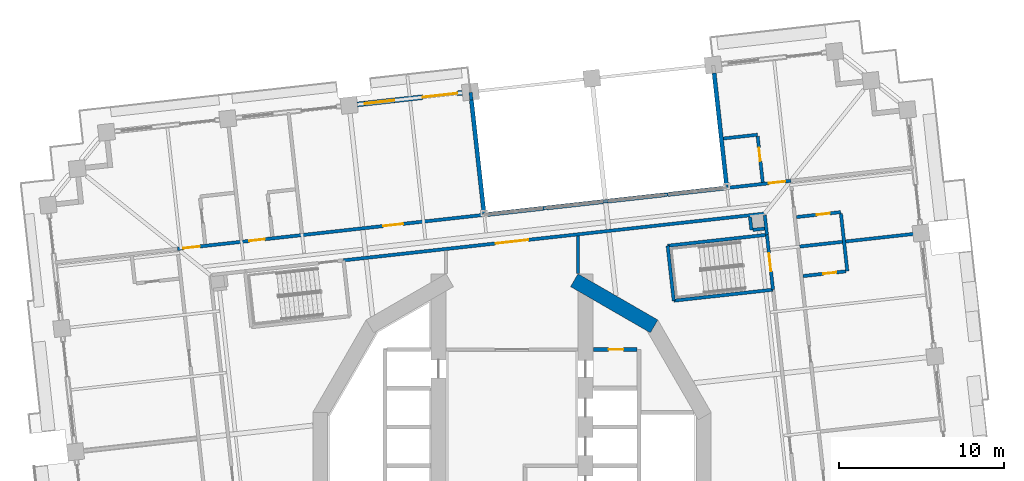
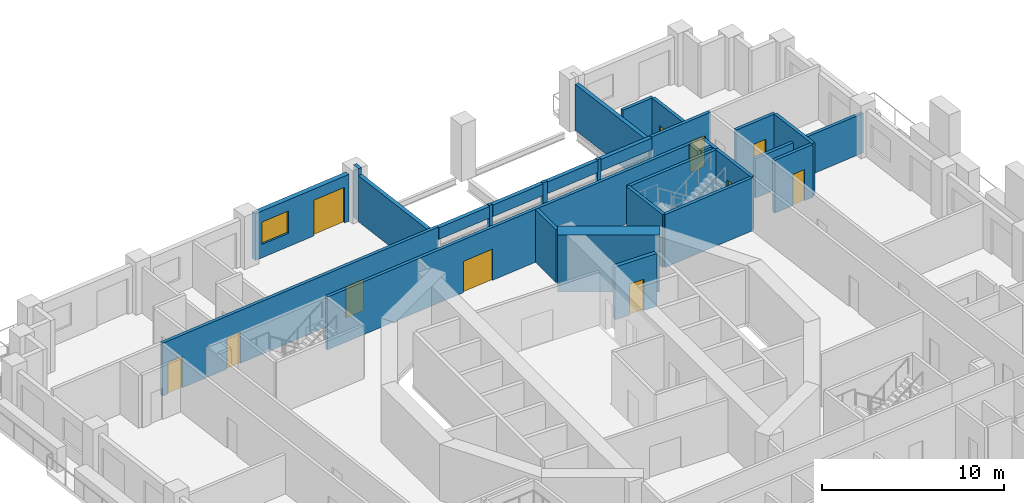
# One storey, part 12 of 20: 30 walls, 11 doors, 1 window, 12 openings.
"""IFC4 building model written with IfcOpenShell, lengths in metres."""

from ifc_helpers import new_model, si_unit, direction, frame, frame_2d, origin, place, context, subcontext, project, spatial, rectangle, extrude, material, layer, layer_set, type_object, element, fill, save


model = new_model("IFC4")

# Units and contexts
model_context = context("Model", 3, precision=1e-05, world=origin(), true_north=direction((0.0, 1.0)))
body_context = subcontext(model_context, "Body", "Model", "MODEL_VIEW")
ifc_project = project(units=[si_unit("LENGTHUNIT", "METRE"), si_unit("AREAUNIT", "SQUARE_METRE"), si_unit("VOLUMEUNIT", "CUBIC_METRE"), si_unit("PLANEANGLEUNIT", "RADIAN"), si_unit("MASSUNIT", "GRAM", prefix="KILO")], contexts=[model_context])

# Site, building, storey
site_placement = place(None, origin())
site = spatial("IfcSite", under=ifc_project, at=site_placement, CompositionType="ELEMENT")
building_placement = place(site_placement, origin())
building = spatial("IfcBuilding", under=site, at=building_placement, Name="Cantera Rosa Tower", CompositionType="ELEMENT")
storey_placement = place(building_placement, frame((0.0, 0.0, 50.10009765625)))
storey = spatial("IfcBuildingStorey", under=building, at=storey_placement, Name="L09", CompositionType="ELEMENT", Elevation=50.10009765625)

# Wall
ifc_material_1 = material(Name="Gypsum board partition")
ifc_layer_1 = layer(ifc_material_1, 0.199951171875)
ifc_layer_set_1 = layer_set([ifc_layer_1], Name="CORRIDOR WALL 200 H3550")
wall_type_1 = type_object("IfcWallType", Name="CORRIDOR WALL 200 H3550", PredefinedType="PARTITIONING", material=ifc_layer_set_1)
wall_1_placement = place(storey_placement, frame((4.0, 11.667236328125, 0.0), z_axis=(0.0, 0.0, 1.0), x_axis=(0.0, 1.0, 0.0)))
element("IfcWall", 1, at=wall_1_placement, inside=storey, type_object=wall_type_1, Name="CORRIDOR WALL L09-064", PredefinedType="PARTITIONING", context=body_context, shape_type="SweptSolid", body=[
    extrude(rectangle(XDim=2.259765625, YDim=0.199951171875, at=frame_2d((1.1298828125, 0.0))), origin(), (0.0, 0.0, 1.0), 3.5498046875),
])

# Wall, opening, door
wall_2_placement = place(storey_placement, frame((15.3076171875, 15.281982421875, 0.0), z_axis=(0.0, 0.0, 1.0), x_axis=(-0.993896137152, -0.110319846599, 0.0)))
wall_2 = element("IfcWall", 2, at=wall_2_placement, inside=storey, type_object=wall_type_1, Name="CORRIDOR WALL L09-087", PredefinedType="PARTITIONING", context=body_context, shape_type="SweptSolid", body=[
    extrude(rectangle(XDim=25.67333984375, YDim=0.199951171875, at=frame_2d((12.836669921875, 0.0))), origin(), (0.0, 0.0, 1.0), 3.5498046875),
])
opening_1_placement = place(wall_2_placement, frame((14.401611328125, 0.0, 0.0)))
opening_1 = element("IfcOpeningElement", 3, at=opening_1_placement, cuts=wall_2, Name="Opening L09-010", PredefinedType="OPENING", context=body_context, shape_type="SweptSolid", body=[
    extrude(rectangle(XDim=2.0, YDim=2.10009765625, at=frame_2d((1.0, 1.050048828125))), frame((0.0, 0.10986328125, 0.0), z_axis=(0.0, -1.0, 0.0), x_axis=(1.0, 0.0, 0.0)), (0.0, 0.0, 1.0), 0.219970703125),
])
ifc_material_2 = material(Name="Steel S355J2 (EN 10025-2)", Category="steel")
door_type_1 = type_object("IfcDoorType", Name="LOBBY SCREEN DOOR 2000x2100", OperationType="NOTDEFINED", PredefinedType="DOOR", material=ifc_material_2)
door_1_placement = place(opening_1_placement, origin())
door_1 = element("IfcDoor", 4, at=door_1_placement, inside=storey, type_object=door_type_1, Name="DOOR L09-010", OperationType="NOTDEFINED", OverallHeight=2.10009765625, OverallWidth=2.0, PredefinedType="DOOR", context=body_context, shape_type="SweptSolid", body=[
    extrude(rectangle(XDim=2.0, YDim=2.10009765625, at=frame_2d((1.0, 1.050048828125))), frame((0.0, 0.02490234375, 0.0), z_axis=(0.0, -1.0, 0.0), x_axis=(1.0, 0.0, 0.0)), (0.0, 0.0, 1.0), 0.050048828125),
])
fill(opening_1, door_1)

# Wall
wall_3_placement = place(storey_placement, frame((15.44970703125, 14.001708984375, 0.0), z_axis=(0.0, 0.0, 1.0), x_axis=(-0.110341316069, 0.993893753863, 0.0)))
element("IfcWall", 5, at=wall_3_placement, inside=storey, type_object=wall_type_1, Name="CORRIDOR WALL L09-091", PredefinedType="PARTITIONING", context=body_context, shape_type="SweptSolid", body=[
    extrude(rectangle(XDim=1.188232421875, YDim=0.199951171875, at=frame_2d((0.59423828125, 0.0))), origin(), (0.0, 0.0, 1.0), 3.5498046875),
])

# Wall, opening, door
wall_4_placement = place(storey_placement, frame((16.898193359375, 17.26953125, 0.0), z_axis=(0.0, 0.0, 1.0), x_axis=(-0.993894825106, -0.110331666476, 0.0)))
wall_4 = element("IfcWall", 6, at=wall_4_placement, inside=storey, type_object=wall_type_1, Name="CORRIDOR WALL L09-095", PredefinedType="PARTITIONING", context=body_context, shape_type="SweptSolid", body=[
    extrude(rectangle(XDim=4.025146484375, YDim=0.199951171875, at=frame_2d((2.0126953125, 0.0))), origin(), (0.0, 0.0, 1.0), 3.5498046875),
])
opening_2_placement = place(wall_4_placement, frame((0.35009765625, 0.0, 0.0)))
opening_2 = element("IfcOpeningElement", 7, at=opening_2_placement, cuts=wall_4, Name="Opening L09-028", PredefinedType="OPENING", context=body_context, shape_type="SweptSolid", body=[
    extrude(rectangle(XDim=1.0, YDim=2.10009765625, at=frame_2d((0.5, 1.050048828125))), frame((0.0, 0.10986328125, 0.0), z_axis=(0.0, -1.0, 0.0), x_axis=(1.0, 0.0, 0.0)), (0.0, 0.0, 1.0), 0.219970703125),
])
ifc_material_3 = material(Name="Timber door leaf", Category="wood")
door_type_2 = type_object("IfcDoorType", Name="ENTRANCE DOOR 1000x2100", OperationType="NOTDEFINED", PredefinedType="DOOR", material=ifc_material_3)
door_2_placement = place(opening_2_placement, origin())
door_2 = element("IfcDoor", 8, at=door_2_placement, inside=storey, type_object=door_type_2, Name="DOOR L09-028", OperationType="NOTDEFINED", OverallHeight=2.10009765625, OverallWidth=1.0, PredefinedType="DOOR", context=body_context, shape_type="SweptSolid", body=[
    extrude(rectangle(XDim=1.0, YDim=2.10009765625, at=frame_2d((0.5, 1.050048828125))), frame((0.0, 0.02490234375, 0.0), z_axis=(0.0, -1.0, 0.0), x_axis=(1.0, 0.0, 0.0)), (0.0, 0.0, 1.0), 0.050048828125),
])
fill(opening_2, door_2)

# Walls
wall_5_placement = place(storey_placement, frame((9.452880859375, 16.443115234375, 0.0), z_axis=(0.0, 0.0, 1.0), x_axis=(-0.993965363551, -0.109694375707, 0.0)))
element("IfcWall", 9, at=wall_5_placement, inside=storey, type_object=wall_type_1, Name="CORRIDOR WALL L09-096", PredefinedType="PARTITIONING", context=body_context, shape_type="SweptSolid", body=[
    extrude(rectangle(XDim=0.218017578125, YDim=0.199951171875, at=frame_2d((0.10888671875, 0.0))), origin(), (0.0, 0.0, 1.0), 3.5498046875),
])
wall_6_placement = place(storey_placement, frame((5.819580078125, 16.039794921875, 0.0), z_axis=(0.0, 0.0, 1.0), x_axis=(-0.993961066883, -0.109733301784, 0.0)))
element("IfcWall", 10, at=wall_6_placement, inside=storey, type_object=wall_type_1, Name="CORRIDOR WALL L09-097", PredefinedType="PARTITIONING", context=body_context, shape_type="SweptSolid", body=[
    extrude(rectangle(XDim=0.30712890625, YDim=0.199951171875, at=frame_2d((0.153564453125, 0.0))), origin(), (0.0, 0.0, 1.0), 3.5498046875),
])
wall_7_placement = place(storey_placement, frame((2.097900390625, 15.626708984375, 0.0), z_axis=(0.0, 0.0, 1.0), x_axis=(-0.993951872299, -0.109816554098, 0.0)))
element("IfcWall", 11, at=wall_7_placement, inside=storey, type_object=wall_type_1, Name="CORRIDOR WALL L09-098", PredefinedType="PARTITIONING", context=body_context, shape_type="SweptSolid", body=[
    extrude(rectangle(XDim=0.2177734375, YDim=0.199951171875, at=frame_2d((0.10888671875, 0.0))), origin(), (0.0, 0.0, 1.0), 3.5498046875),
])

# Wall, openings, doors
wall_8_placement = place(storey_placement, frame((-1.5634765625, 15.220458984375, 0.0), z_axis=(0.0, 0.0, 1.0), x_axis=(-0.993896854699, -0.110313381866, 0.0)))
wall_8 = element("IfcWall", 12, at=wall_8_placement, inside=storey, type_object=wall_type_1, Name="CORRIDOR WALL L09-099", PredefinedType="PARTITIONING", context=body_context, shape_type="SweptSolid", body=[
    extrude(rectangle(XDim=18.8251953125, YDim=0.199951171875, at=frame_2d((9.41259765625, 0.0))), origin(), (0.0, 0.0, 1.0), 3.5498046875),
])
opening_3_placement = place(wall_8_placement, frame((5.074951171875, 0.0, 0.0)))
opening_3 = element("IfcOpeningElement", 13, at=opening_3_placement, cuts=wall_8, Name="Opening L09-025", PredefinedType="OPENING", context=body_context, shape_type="SweptSolid", body=[
    extrude(rectangle(XDim=1.199951171875, YDim=2.10009765625, at=frame_2d((0.60009765625, 1.050048828125))), frame((0.0, 0.10986328125, 0.0), z_axis=(0.0, -1.0, 0.0), x_axis=(1.0, 0.0, 0.0)), (0.0, 0.0, 1.0), 0.219970703125),
])
opening_4_placement = place(wall_8_placement, frame((13.5, 0.0, 0.0)))
opening_4 = element("IfcOpeningElement", 14, at=opening_4_placement, cuts=wall_8, Name="Opening L09-026", PredefinedType="OPENING", context=body_context, shape_type="SweptSolid", body=[
    extrude(rectangle(XDim=0.949951171875, YDim=2.10009765625, at=frame_2d((0.47509765625, 1.050048828125))), frame((0.0, 0.10986328125, 0.0), z_axis=(0.0, -1.0, 0.0), x_axis=(1.0, 0.0, 0.0)), (0.0, 0.0, 1.0), 0.219970703125),
])
opening_5_placement = place(wall_8_placement, frame((17.47509765625, 0.0, 0.0)))
opening_5 = element("IfcOpeningElement", 15, at=opening_5_placement, cuts=wall_8, Name="Opening L09-030", PredefinedType="OPENING", context=body_context, shape_type="SweptSolid", body=[
    extrude(rectangle(XDim=1.0, YDim=2.10009765625, at=frame_2d((0.5, 1.050048828125))), frame((0.0, 0.10986328125, 0.0), z_axis=(0.0, -1.0, 0.0), x_axis=(1.0, 0.0, 0.0)), (0.0, 0.0, 1.0), 0.219970703125),
])
door_3_placement = place(opening_5_placement, origin())
door_3 = element("IfcDoor", 16, at=door_3_placement, inside=storey, type_object=door_type_2, Name="DOOR L09-030", OperationType="NOTDEFINED", OverallHeight=2.10009765625, OverallWidth=1.0, PredefinedType="DOOR", context=body_context, shape_type="SweptSolid", body=[
    extrude(rectangle(XDim=1.0, YDim=2.10009765625, at=frame_2d((0.5, 1.050048828125))), frame((0.0, 0.02490234375, 0.0), z_axis=(0.0, -1.0, 0.0), x_axis=(1.0, 0.0, 0.0)), (0.0, 0.0, 1.0), 0.050048828125),
])
fill(opening_5, door_3)
ifc_material_4 = material(Name="Timber door leaf", Category="wood")
door_type_3 = type_object("IfcDoorType", Name="ROOM DOOR 1200x2100", OperationType="NOTDEFINED", PredefinedType="DOOR", material=ifc_material_4)
door_4_placement = place(opening_3_placement, origin())
door_4 = element("IfcDoor", 17, at=door_4_placement, inside=storey, type_object=door_type_3, Name="DOOR L09-025", OperationType="NOTDEFINED", OverallHeight=2.10009765625, OverallWidth=1.199951171875, PredefinedType="DOOR", context=body_context, shape_type="SweptSolid", body=[
    extrude(rectangle(XDim=1.199951171875, YDim=2.10009765625, at=frame_2d((0.60009765625, 1.050048828125))), frame((0.0, 0.02490234375, 0.0), z_axis=(0.0, -1.0, 0.0), x_axis=(1.0, 0.0, 0.0)), (0.0, 0.0, 1.0), 0.050048828125),
])
fill(opening_3, door_4)
ifc_material_5 = material(Name="Timber door leaf", Category="wood")
door_type_4 = type_object("IfcDoorType", Name="ROOM DOOR 950x2100", OperationType="NOTDEFINED", PredefinedType="DOOR", material=ifc_material_5)
door_5_placement = place(opening_4_placement, origin())
door_5 = element("IfcDoor", 18, at=door_5_placement, inside=storey, type_object=door_type_4, Name="DOOR L09-026", OperationType="NOTDEFINED", OverallHeight=2.10009765625, OverallWidth=0.949951171875, PredefinedType="DOOR", context=body_context, shape_type="SweptSolid", body=[
    extrude(rectangle(XDim=0.949951171875, YDim=2.10009765625, at=frame_2d((0.47509765625, 1.050048828125))), frame((0.0, 0.02490234375, 0.0), z_axis=(0.0, -1.0, 0.0), x_axis=(1.0, 0.0, 0.0)), (0.0, 0.0, 1.0), 0.050048828125),
])
fill(opening_4, door_5)

# Wall, openings, window, door
ifc_material_6 = material(Name="Hollow clay masonry with cantera stone cladding", Category="masonry")
ifc_layer_2 = layer(ifc_material_6, 0.300048828125)
ifc_layer_set_2 = layer_set([ifc_layer_2], Name="EW-LOGGIA 300 H3140")
wall_type_2 = type_object("IfcWallType", Name="EW-LOGGIA 300 H3140", PredefinedType="SOLIDWALL", material=ifc_layer_set_2)
wall_9_placement = place(storey_placement, frame((-3.011962890625, 22.605712890625, 0.0), z_axis=(0.0, 0.0, 1.0), x_axis=(-0.993896288542, -0.110318482689, 0.0)))
wall_9 = element("IfcWall", 19, at=wall_9_placement, inside=storey, type_object=wall_type_2, Name="EN-L09-W11", PredefinedType="SOLIDWALL", context=body_context, shape_type="SweptSolid", body=[
    extrude(rectangle(XDim=6.400146484375, YDim=0.300048828125, at=frame_2d((3.2001953125, 0.0))), origin(), (0.0, 0.0, 1.0), 3.139892578125),
])
opening_6_placement = place(wall_9_placement, frame((0.300048828125, 0.0, 0.0)))
opening_6 = element("IfcOpeningElement", 20, at=opening_6_placement, cuts=wall_9, Name="Opening L09-TD13", PredefinedType="OPENING", context=body_context, shape_type="SweptSolid", body=[
    extrude(rectangle(XDim=2.10009765625, YDim=2.39990234375, at=frame_2d((1.050048828125, 1.199951171875))), frame((0.0, 0.159912109375, 0.0), z_axis=(0.0, -1.0, 0.0), x_axis=(1.0, 0.0, 0.0)), (0.0, 0.0, 1.0), 0.320068359375),
])
opening_7_placement = place(wall_9_placement, frame((4.14990234375, 0.0, 0.89990234375)))
opening_7 = element("IfcOpeningElement", 21, at=opening_7_placement, cuts=wall_9, Name="Opening L09-W14", PredefinedType="OPENING", context=body_context, shape_type="SweptSolid", body=[
    extrude(rectangle(XDim=1.800048828125, YDim=1.5, at=frame_2d((0.89990234375, 0.75))), frame((0.0, 0.159912109375, 0.0), z_axis=(0.0, -1.0, 0.0), x_axis=(1.0, 0.0, 0.0)), (0.0, 0.0, 1.0), 0.320068359375),
])
ifc_material_7 = material(Name="Aluminium frame with clear glass", Category="aluminium")
window_type = type_object("IfcWindowType", Name="Hotel room window 1800x1500", PartitioningType="DOUBLE_PANEL_VERTICAL", PredefinedType="WINDOW", material=ifc_material_7)
window_placement = place(opening_7_placement, origin())
window = element("IfcWindow", 22, at=window_placement, inside=storey, type_object=window_type, Name="WINDOW L09-W14", OverallHeight=1.5, OverallWidth=1.800048828125, PartitioningType="SINGLE_PANEL", PredefinedType="WINDOW", context=body_context, shape_type="SweptSolid", body=[
    extrude(rectangle(XDim=1.800048828125, YDim=1.5, at=frame_2d((0.89990234375, 0.75))), frame((0.0, 0.030029296875, 0.0), z_axis=(0.0, -1.0, 0.0), x_axis=(1.0, 0.0, 0.0)), (0.0, 0.0, 1.0), 0.06005859375),
])
fill(opening_7, window)
ifc_material_8 = material(Name="Aluminium frame with clear glass", Category="aluminium")
door_type_5 = type_object("IfcDoorType", Name="TD-H 2100x2400", OperationType="NOTDEFINED", PredefinedType="DOOR", material=ifc_material_8)
door_6_placement = place(opening_6_placement, origin())
door_6 = element("IfcDoor", 23, at=door_6_placement, inside=storey, type_object=door_type_5, Name="LOGGIA DOOR L09-TD13", OperationType="SLIDING_TO_LEFT", OverallHeight=2.39990234375, OverallWidth=2.10009765625, PredefinedType="DOOR", context=body_context, shape_type="SweptSolid", body=[
    extrude(rectangle(XDim=2.10009765625, YDim=2.39990234375, at=frame_2d((1.050048828125, 1.199951171875))), frame((0.0, 0.02490234375, 0.0), z_axis=(0.0, -1.0, 0.0), x_axis=(1.0, 0.0, 0.0)), (0.0, 0.0, 1.0), 0.050048828125),
])
fill(opening_6, door_6)

# Walls
ifc_material_9 = material(Name="Concrete C40/50", Category="concrete")
ifc_layer_3 = layer(ifc_material_9, 0.25)
ifc_layer_set_3 = layer_set([ifc_layer_3], Name="EW-POCKET CHEEK 250 H3090")
wall_type_3 = type_object("IfcWallType", Name="EW-POCKET CHEEK 250 H3090", PredefinedType="SOLIDWALL", material=ifc_layer_set_3)
wall_10_placement = place(storey_placement, frame((12.249755859375, 23.796630859375, 0.0), z_axis=(0.0, 0.0, 1.0), x_axis=(0.11028783669, -0.993899689646, 0.0)))
element("IfcWall", 24, at=wall_10_placement, inside=storey, type_object=wall_type_3, Name="POCKET CHEEK A L09", PredefinedType="SOLIDWALL", context=body_context, shape_type="SweptSolid", body=[
    extrude(rectangle(XDim=6.89990234375, YDim=0.25, at=frame_2d((3.449951171875, 0.0))), origin(), (0.0, 0.0, 1.0), 3.08984375),
])
wall_11_placement = place(storey_placement, frame((-2.4599609375, 22.163818359375, 0.0), z_axis=(0.0, 0.0, 1.0), x_axis=(0.110322788799, -0.993895810572, 0.0)))
element("IfcWall", 25, at=wall_11_placement, inside=storey, type_object=wall_type_3, Name="POCKET CHEEK B L09", PredefinedType="SOLIDWALL", context=body_context, shape_type="SweptSolid", body=[
    extrude(rectangle(XDim=6.900146484375, YDim=0.25, at=frame_2d((3.4501953125, 0.0))), origin(), (0.0, 0.0, 1.0), 3.08984375),
])
ifc_material_10 = material(Name="Hollow clay masonry with cantera stone cladding", Category="masonry")
ifc_layer_4 = layer(ifc_material_10, 0.25)
ifc_layer_set_4 = layer_set([ifc_layer_4], Name="EW-POCKET REAR 250")
wall_type_4 = type_object("IfcWallType", Name="EW-POCKET REAR 250", PredefinedType="SOLIDWALL", material=ifc_layer_set_4)
wall_12_placement = place(storey_placement, frame((12.897705078125, 16.825439453125, 2.7158203125), z_axis=(0.0, 0.0, 1.0), x_axis=(-0.993897471215, -0.110307827068, 0.0)))
element("IfcWall", 26, at=wall_12_placement, inside=storey, type_object=wall_type_4, Name="POCKET SPANDREL L09-1", PredefinedType="SOLIDWALL", context=body_context, shape_type="SweptSolid", body=[
    extrude(rectangle(XDim=3.466064453125, YDim=0.25, at=frame_2d((1.73291015625, 0.0))), origin(), (0.0, 0.0, 1.0), 0.7841796875),
])
for number, where, z_axis, x_axis, name in (
    (27, (9.236083984375, 16.419189453125, 2.7158203125), (0.0, 0.0, 1.0), (-0.993890661754, -0.110369164525, 0.0), "POCKET SPANDREL L09-2"),
    (28, (5.514404296875, 16.006103515625, 2.7158203125), (0.0, 0.0, 1.0), (-0.993890661754, -0.110369164525, 0.0), "POCKET SPANDREL L09-3"),
):
    element("IfcWall", number, at=place(storey_placement, frame(where, z_axis=z_axis, x_axis=x_axis)), inside=storey, type_object=wall_type_4, Name=name, PredefinedType="SOLIDWALL", context=body_context, shape_type="SweptSolid", body=[
        extrude(rectangle(XDim=3.4375, YDim=0.25, at=frame_2d((1.71875, 0.0))), origin(), (0.0, 0.0, 1.0), 0.7841796875),
    ])
wall_13_placement = place(storey_placement, frame((1.88134765625, 15.602783203125, 2.7158203125), z_axis=(0.0, 0.0, 1.0), x_axis=(-0.993897471215, -0.110307827068, 0.0)))
element("IfcWall", 29, at=wall_13_placement, inside=storey, type_object=wall_type_4, Name="POCKET SPANDREL L09-4", PredefinedType="SOLIDWALL", context=body_context, shape_type="SweptSolid", body=[
    extrude(rectangle(XDim=3.466064453125, YDim=0.25, at=frame_2d((1.73291015625, 0.0))), origin(), (0.0, 0.0, 1.0), 0.7841796875),
])
ifc_material_11 = material(Name="Gypsum board partition")
ifc_layer_5 = layer(ifc_material_11, 0.199951171875)
ifc_layer_set_5 = layer_set([ifc_layer_5], Name="PARTITION 200 H3550")
wall_type_5 = type_object("IfcWallType", Name="PARTITION 200 H3550", PredefinedType="PARTITIONING", material=ifc_layer_set_5)
wall_14_placement = place(storey_placement, frame((-2.51171875, 22.631103515625, 0.0), z_axis=(0.0, 0.0, 1.0), x_axis=(0.110089547864, -0.993921672694, 0.0)))
element("IfcWall", 30, at=wall_14_placement, inside=storey, type_object=wall_type_5, Name="PARTITION L09-055", PredefinedType="PARTITIONING", context=body_context, shape_type="SweptSolid", body=[
    extrude(rectangle(XDim=0.47021484375, YDim=0.199951171875, at=frame_2d((0.235107421875, 0.0))), origin(), (0.0, 0.0, 1.0), 3.5498046875),
])
wall_15_placement = place(storey_placement, frame((12.8251953125, 19.835693359375, 0.0), z_axis=(0.0, 0.0, 1.0), x_axis=(0.993883734674, 0.110431526075, 0.0)))
element("IfcWall", 31, at=wall_15_placement, inside=storey, type_object=wall_type_5, Name="PARTITION L09-080", PredefinedType="PARTITIONING", context=body_context, shape_type="SweptSolid", body=[
    extrude(rectangle(XDim=2.06494140625, YDim=0.199951171875, at=frame_2d((1.032470703125, 0.0))), origin(), (0.0, 0.0, 1.0), 3.5498046875),
])
wall_16_placement = place(storey_placement, frame((14.42431640625, 15.083251953125, 0.0), z_axis=(0.0, 0.0, 1.0), x_axis=(0.110163574714, -0.993913470482, 0.0)))
element("IfcWall", 32, at=wall_16_placement, inside=storey, type_object=wall_type_5, Name="PARTITION L09-082", PredefinedType="PARTITIONING", context=body_context, shape_type="SweptSolid", body=[
    extrude(rectangle(XDim=0.800048828125, YDim=0.199951171875, at=frame_2d((0.39990234375, 0.0))), origin(), (0.0, 0.0, 1.0), 3.5498046875),
])
wall_17_placement = place(storey_placement, frame((14.61181640625, 14.299072265625, 0.0), z_axis=(0.0, 0.0, 1.0), x_axis=(0.993870969748, 0.110546349969, 0.0)))
element("IfcWall", 33, at=wall_17_placement, inside=storey, type_object=wall_type_5, Name="PARTITION L09-083", PredefinedType="PARTITIONING", context=body_context, shape_type="SweptSolid", body=[
    extrude(rectangle(XDim=0.7001953125, YDim=0.199951171875, at=frame_2d((0.35009765625, 0.0))), origin(), (0.0, 0.0, 1.0), 3.5498046875),
])

# Wall, opening, door
wall_18_placement = place(storey_placement, frame((14.888671875, 19.964111328125, 0.0), z_axis=(0.0, 0.0, 1.0), x_axis=(0.110307106705, -0.993897551164, 0.0)))
wall_18 = element("IfcWall", 34, at=wall_18_placement, inside=storey, type_object=wall_type_5, Name="PARTITION L09-084", PredefinedType="PARTITIONING", context=body_context, shape_type="SweptSolid", body=[
    extrude(rectangle(XDim=2.7998046875, YDim=0.199951171875, at=frame_2d((1.39990234375, 0.0))), origin(), (0.0, 0.0, 1.0), 3.5498046875),
])
opening_8_placement = place(wall_18_placement, frame((0.699951171875, 0.0, 0.0)))
opening_8 = element("IfcOpeningElement", 35, at=opening_8_placement, cuts=wall_18, Name="Opening L09-029", PredefinedType="OPENING", context=body_context, shape_type="SweptSolid", body=[
    extrude(rectangle(XDim=0.800048828125, YDim=2.10009765625, at=frame_2d((0.39990234375, 1.050048828125))), frame((0.0, 0.10986328125, 0.0), z_axis=(0.0, -1.0, 0.0), x_axis=(1.0, 0.0, 0.0)), (0.0, 0.0, 1.0), 0.219970703125),
])
ifc_material_12 = material(Name="Timber door leaf", Category="wood")
door_type_6 = type_object("IfcDoorType", Name="BATHROOM DOOR 800x2100", OperationType="NOTDEFINED", PredefinedType="DOOR", material=ifc_material_12)
door_7_placement = place(opening_8_placement, origin())
door_7 = element("IfcDoor", 36, at=door_7_placement, inside=storey, type_object=door_type_6, Name="DOOR L09-029", OperationType="NOTDEFINED", OverallHeight=2.10009765625, OverallWidth=0.800048828125, PredefinedType="DOOR", context=body_context, shape_type="SweptSolid", body=[
    extrude(rectangle(XDim=0.800048828125, YDim=2.10009765625, at=frame_2d((0.39990234375, 1.050048828125))), frame((0.0, 0.02490234375, 0.0), z_axis=(0.0, -1.0, 0.0), x_axis=(1.0, 0.0, 0.0)), (0.0, 0.0, 1.0), 0.050048828125),
])
fill(opening_8, door_7)

wall_19_placement = place(storey_placement, frame((17.242431640625, 15.073974609375, 0.0), z_axis=(0.0, 0.0, 1.0), x_axis=(0.993895859284, 0.110322349952, 0.0)))
wall_19 = element("IfcWall", 37, at=wall_19_placement, inside=storey, type_object=wall_type_5, Name="PARTITION L09-101", PredefinedType="PARTITIONING", context=body_context, shape_type="SweptSolid", body=[
    extrude(rectangle(XDim=2.699951171875, YDim=0.199951171875, at=frame_2d((1.35009765625, 0.0))), origin(), (0.0, 0.0, 1.0), 3.5498046875),
])
opening_9_placement = place(wall_19_placement, frame((1.236083984375, 0.0, 0.0)))
opening_9 = element("IfcOpeningElement", 38, at=opening_9_placement, cuts=wall_19, Name="Opening L09-024", PredefinedType="OPENING", context=body_context, shape_type="SweptSolid", body=[
    extrude(rectangle(XDim=0.800048828125, YDim=2.10009765625, at=frame_2d((0.39990234375, 1.050048828125))), frame((0.0, 0.10986328125, 0.0), z_axis=(0.0, -1.0, 0.0), x_axis=(1.0, 0.0, 0.0)), (0.0, 0.0, 1.0), 0.219970703125),
])
door_8_placement = place(opening_9_placement, origin())
door_8 = element("IfcDoor", 39, at=door_8_placement, inside=storey, type_object=door_type_6, Name="DOOR L09-024", OperationType="NOTDEFINED", OverallHeight=2.10009765625, OverallWidth=0.800048828125, PredefinedType="DOOR", context=body_context, shape_type="SweptSolid", body=[
    extrude(rectangle(XDim=0.800048828125, YDim=2.10009765625, at=frame_2d((0.39990234375, 1.050048828125))), frame((0.0, 0.02490234375, 0.0), z_axis=(0.0, -1.0, 0.0), x_axis=(1.0, 0.0, 0.0)), (0.0, 0.0, 1.0), 0.050048828125),
])
fill(opening_9, door_8)

# Wall
wall_20_placement = place(storey_placement, frame((19.93701171875, 15.2724609375, 0.0), z_axis=(0.0, 0.0, 1.0), x_axis=(0.110286055711, -0.99389988727, 0.0)))
element("IfcWall", 40, at=wall_20_placement, inside=storey, type_object=wall_type_5, Name="PARTITION L09-112", PredefinedType="PARTITIONING", context=body_context, shape_type="SweptSolid", body=[
    extrude(rectangle(XDim=3.499755859375, YDim=0.199951171875, at=frame_2d((1.75, 0.0))), origin(), (0.0, 0.0, 1.0), 3.5498046875),
])

# Wall, opening, door
wall_21_placement = place(storey_placement, frame((20.2236328125, 11.78271484375, 0.0), z_axis=(0.0, 0.0, 1.0), x_axis=(-0.993905472132, -0.110235713206, 0.0)))
wall_21 = element("IfcWall", 41, at=wall_21_placement, inside=storey, type_object=wall_type_5, Name="PARTITION L09-114", PredefinedType="PARTITIONING", context=body_context, shape_type="SweptSolid", body=[
    extrude(rectangle(XDim=2.60009765625, YDim=0.199951171875, at=frame_2d((1.300048828125, 0.0))), origin(), (0.0, 0.0, 1.0), 3.5498046875),
])
opening_10_placement = place(wall_21_placement, frame((0.56396484375, 0.0, 0.0)))
opening_10 = element("IfcOpeningElement", 42, at=opening_10_placement, cuts=wall_21, Name="Opening L09-022", PredefinedType="OPENING", context=body_context, shape_type="SweptSolid", body=[
    extrude(rectangle(XDim=0.800048828125, YDim=2.10009765625, at=frame_2d((0.39990234375, 1.050048828125))), frame((0.0, 0.10986328125, 0.0), z_axis=(0.0, -1.0, 0.0), x_axis=(1.0, 0.0, 0.0)), (0.0, 0.0, 1.0), 0.219970703125),
])
door_9_placement = place(opening_10_placement, origin())
door_9 = element("IfcDoor", 43, at=door_9_placement, inside=storey, type_object=door_type_6, Name="DOOR L09-022", OperationType="NOTDEFINED", OverallHeight=2.10009765625, OverallWidth=0.800048828125, PredefinedType="DOOR", context=body_context, shape_type="SweptSolid", body=[
    extrude(rectangle(XDim=0.800048828125, YDim=2.10009765625, at=frame_2d((0.39990234375, 1.050048828125))), frame((0.0, 0.02490234375, 0.0), z_axis=(0.0, -1.0, 0.0), x_axis=(1.0, 0.0, 0.0)), (0.0, 0.0, 1.0), 0.050048828125),
])
fill(opening_10, door_9)

# Walls
ifc_material_13 = material(Name="Gypsum board partition")
ifc_layer_6 = layer(ifc_material_13, 0.199951171875)
ifc_layer_set_6 = layer_set([ifc_layer_6], Name="PARTY WALL 200 H2650")
wall_type_6 = type_object("IfcWallType", Name="PARTY WALL 200 H2650", PredefinedType="PARTITIONING", material=ifc_layer_set_6)
wall_22_placement = place(storey_placement, frame((17.44091796875, 13.284912109375, 0.0), z_axis=(0.0, 0.0, 1.0), x_axis=(0.993897461949, 0.110307910555, 0.0)))
element("IfcWall", 44, at=wall_22_placement, inside=storey, type_object=wall_type_6, Name="PARTY WALL L09-103", PredefinedType="PARTITIONING", context=body_context, shape_type="SweptSolid", body=[
    extrude(rectangle(XDim=7.3701171875, YDim=0.199951171875, at=frame_2d((3.68505859375, 0.0))), origin(), (0.0, 0.0, 1.0), 2.64990234375),
])
ifc_material_14 = material(Name="Concrete C70/85", Category="concrete")
ifc_layer_7 = layer(ifc_material_14, 0.89990234375)
ifc_layer_set_7 = layer_set([ifc_layer_7], Name="RC CORE WALL 900 C70/85")
wall_type_7 = type_object("IfcWallType", Name="RC CORE WALL 900 C70/85", PredefinedType="SHEAR", material=ifc_layer_set_7)
wall_23_placement = place(storey_placement, frame((3.77490234375, 11.242919921875, 0.0), z_axis=(0.0, 0.0, 1.0), x_axis=(0.866026961591, -0.49999730179, 0.0)))
element("IfcWall", 45, at=wall_23_placement, inside=storey, type_object=wall_type_7, Name="CW-E1 L09", PredefinedType="SHEAR", context=body_context, shape_type="SweptSolid", body=[
    extrude(rectangle(XDim=5.58740234375, YDim=0.89990234375, at=frame_2d((2.793701171875, 0.0))), origin(), (0.0, 0.0, 1.0), 3.7998046875),
])

# Wall, opening, door
ifc_material_15 = material(Name="Masonry blockwork", Category="masonry")
ifc_layer_8 = layer(ifc_material_15, 0.25)
ifc_layer_set_8 = layer_set([ifc_layer_8], Name="SHAFT WALL 250 H3550")
wall_type_8 = type_object("IfcWallType", Name="SHAFT WALL 250 H3550", PredefinedType="SOLIDWALL", material=ifc_layer_set_8)
wall_24_placement = place(storey_placement, frame((7.580078125, 7.050048828125, 0.0), z_axis=(0.0, 0.0, 1.0), x_axis=(-1.0, 0.0, 0.0)))
wall_24 = element("IfcWall", 46, at=wall_24_placement, inside=storey, type_object=wall_type_8, Name="SHAFT WALL L09-074", PredefinedType="SOLIDWALL", context=body_context, shape_type="SweptSolid", body=[
    extrude(rectangle(XDim=2.650146484375, YDim=0.25, at=frame_2d((1.3251953125, 0.0))), origin(), (0.0, 0.0, 1.0), 3.5498046875),
])
opening_11_placement = place(wall_24_placement, frame((0.830078125, 0.0, 0.0)))
opening_11 = element("IfcOpeningElement", 47, at=opening_11_placement, cuts=wall_24, Name="Opening L09-050", PredefinedType="OPENING", context=body_context, shape_type="SweptSolid", body=[
    extrude(rectangle(XDim=0.89990234375, YDim=2.10009765625, at=frame_2d((0.449951171875, 1.050048828125))), frame((0.0, 0.135009765625, 0.0), z_axis=(0.0, -1.0, 0.0), x_axis=(1.0, 0.0, 0.0)), (0.0, 0.0, 1.0), 0.27001953125),
])
ifc_material_16 = material(Name="Timber door leaf", Category="wood")
door_type_7 = type_object("IfcDoorType", Name="SERVICE DOOR 900x2100", OperationType="NOTDEFINED", PredefinedType="DOOR", material=ifc_material_16)
door_10_placement = place(opening_11_placement, origin())
door_10 = element("IfcDoor", 48, at=door_10_placement, inside=storey, type_object=door_type_7, Name="RISER DOOR L09-050", OperationType="NOTDEFINED", OverallHeight=2.10009765625, OverallWidth=0.89990234375, PredefinedType="DOOR", context=body_context, shape_type="SweptSolid", body=[
    extrude(rectangle(XDim=0.89990234375, YDim=2.10009765625, at=frame_2d((0.449951171875, 1.050048828125))), frame((0.0, 0.02490234375, 0.0), z_axis=(0.0, -1.0, 0.0), x_axis=(1.0, 0.0, 0.0)), (0.0, 0.0, 1.0), 0.050048828125),
])
fill(opening_11, door_10)

# Walls
ifc_material_17 = material(Name="Concrete C50/60", Category="concrete")
ifc_layer_9 = layer(ifc_material_17, 0.199951171875)
ifc_layer_set_9 = layer_set([ifc_layer_9], Name="STAIR WALL 200 H3550")
wall_type_9 = type_object("IfcWallType", Name="STAIR WALL 200 H3550", PredefinedType="SOLIDWALL", material=ifc_layer_set_9)
wall_25_placement = place(storey_placement, frame((9.43359375, 13.333740234375, 0.0), z_axis=(0.0, 0.0, 1.0), x_axis=(0.11027153821, -0.993901498067, 0.0)))
element("IfcWall", 49, at=wall_25_placement, inside=storey, type_object=wall_type_9, Name="STAIR WALL L09-078", PredefinedType="SOLIDWALL", context=body_context, shape_type="SweptSolid", body=[
    extrude(rectangle(XDim=3.349853515625, YDim=0.199951171875, at=frame_2d((1.6748046875, 0.0))), origin(), (0.0, 0.0, 1.0), 3.5498046875),
])
wall_26_placement = place(storey_placement, frame((9.802978515625, 10.00439453125, 0.0), z_axis=(0.0, 0.0, 1.0), x_axis=(0.993897498792, 0.11030757859, 0.0)))
element("IfcWall", 50, at=wall_26_placement, inside=storey, type_object=wall_type_9, Name="STAIR WALL L09-079", PredefinedType="SOLIDWALL", context=body_context, shape_type="SweptSolid", body=[
    extrude(rectangle(XDim=6.05322265625, YDim=0.199951171875, at=frame_2d((3.026611328125, 0.0))), origin(), (0.0, 0.0, 1.0), 3.5498046875),
])
wall_27_placement = place(storey_placement, frame((15.44970703125, 14.001708984375, 0.0), z_axis=(0.0, 0.0, 1.0), x_axis=(-0.993892585125, -0.110351842907, 0.0)))
element("IfcWall", 51, at=wall_27_placement, inside=storey, type_object=wall_type_9, Name="STAIR WALL L09-090", PredefinedType="SOLIDWALL", context=body_context, shape_type="SweptSolid", body=[
    extrude(rectangle(XDim=6.052978515625, YDim=0.199951171875, at=frame_2d((3.0263671875, 0.0))), origin(), (0.0, 0.0, 1.0), 3.5498046875),
])

# Wall, opening, door
wall_28_placement = place(storey_placement, frame((15.8193359375, 10.672119140625, 0.0), z_axis=(0.0, 0.0, 1.0), x_axis=(-0.110335541424, 0.993894394943, 0.0)))
wall_28 = element("IfcWall", 52, at=wall_28_placement, inside=storey, type_object=wall_type_9, Name="STAIR WALL L09-092", PredefinedType="SOLIDWALL", context=body_context, shape_type="SweptSolid", body=[
    extrude(rectangle(XDim=3.35009765625, YDim=0.199951171875, at=frame_2d((1.675048828125, 0.0))), origin(), (0.0, 0.0, 1.0), 3.5498046875),
])
opening_12_placement = place(wall_28_placement, frame((1.125, 0.0, 0.0)))
opening_12 = element("IfcOpeningElement", 53, at=opening_12_placement, cuts=wall_28, Name="Opening L09-001", PredefinedType="OPENING", context=body_context, shape_type="SweptSolid", body=[
    extrude(rectangle(XDim=1.10009765625, YDim=2.10009765625, at=frame_2d((0.550048828125, 1.050048828125))), frame((0.0, 0.10986328125, 0.0), z_axis=(0.0, -1.0, 0.0), x_axis=(1.0, 0.0, 0.0)), (0.0, 0.0, 1.0), 0.219970703125),
])
ifc_material_18 = material(Name="Steel S355J2 (EN 10025-2)", Category="steel")
door_type_8 = type_object("IfcDoorType", Name="STAIR DOOR 1100x2100", OperationType="NOTDEFINED", PredefinedType="DOOR", material=ifc_material_18)
door_11_placement = place(opening_12_placement, origin())
door_11 = element("IfcDoor", 54, at=door_11_placement, inside=storey, type_object=door_type_8, Name="DOOR L09-001", OperationType="NOTDEFINED", OverallHeight=2.10009765625, OverallWidth=1.10009765625, PredefinedType="DOOR", context=body_context, shape_type="SweptSolid", body=[
    extrude(rectangle(XDim=1.10009765625, YDim=2.10009765625, at=frame_2d((0.550048828125, 1.050048828125))), frame((0.0, 0.02490234375, 0.0), z_axis=(0.0, -1.0, 0.0), x_axis=(1.0, 0.0, 0.0)), (0.0, 0.0, 1.0), 0.050048828125),
])
fill(opening_12, door_11)

save(model, "model.ifc")
